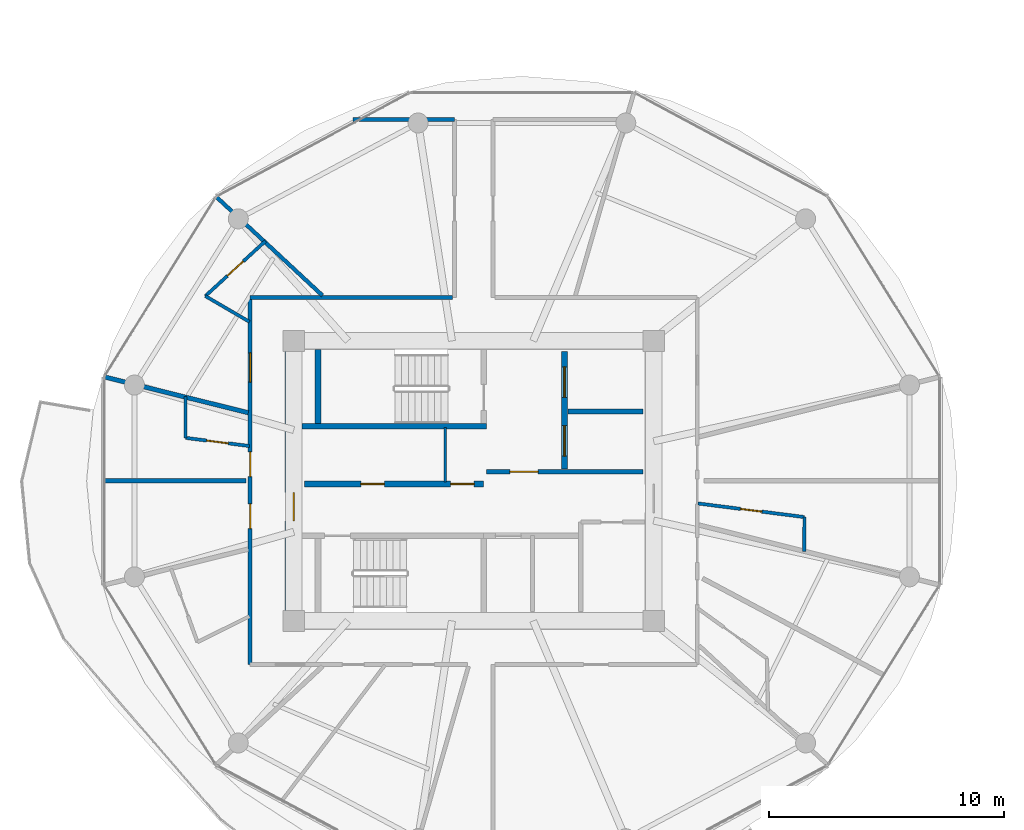
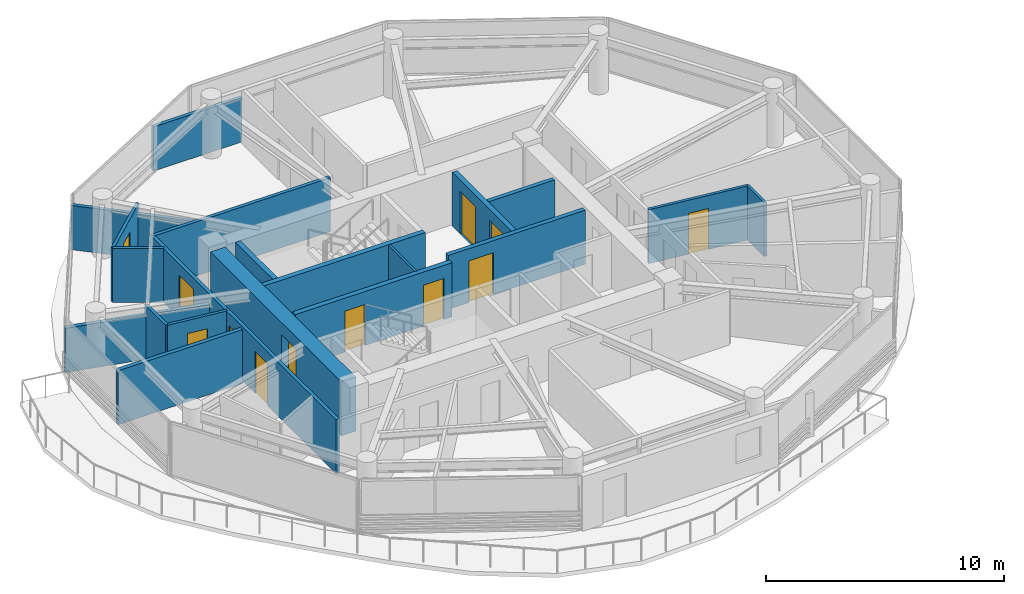
# One storey, part 14 of 24: 20 walls, 12 doors, 12 openings.
"""IFC4 building model written with IfcOpenShell, lengths in metres."""

from ifc_helpers import new_model, si_unit, direction, frame, frame_2d, origin, place, context, subcontext, project, spatial, rectangle, extrude, source, transform, mapped, material, layer, layer_set, type_object, type_shapes, element, fill, save


model = new_model("IFC4")

# Units and contexts
model_context = context("Model", 3, precision=1e-05, world=origin(), true_north=direction((0.0, 1.0)))
body_context = subcontext(model_context, "Body", "Model", "MODEL_VIEW")
ifc_project = project(units=[si_unit("LENGTHUNIT", "METRE"), si_unit("AREAUNIT", "SQUARE_METRE"), si_unit("VOLUMEUNIT", "CUBIC_METRE"), si_unit("PLANEANGLEUNIT", "RADIAN"), si_unit("MASSUNIT", "GRAM", prefix="KILO")], contexts=[model_context])

# Site, building, storey
site_placement = place(None, origin())
site = spatial("IfcSite", under=ifc_project, at=site_placement, CompositionType="ELEMENT")
building_placement = place(site_placement, origin())
building = spatial("IfcBuilding", under=site, at=building_placement, Name="Norrkilde Senior Care Towers", CompositionType="ELEMENT")
storey_placement = place(building_placement, frame((0.0, 0.0, 102.35009765625)))
storey = spatial("IfcBuildingStorey", under=building, at=storey_placement, Name="L31", CompositionType="ELEMENT", Elevation=102.35009765625)

# Wall, opening, door
ifc_material_1 = material(Name="Concrete C60/75", Category="concrete")
ifc_layer_1 = layer(ifc_material_1, 0.719970703125)
ifc_layer_set_1 = layer_set([ifc_layer_1], Name="Concrete C60/75")
wall_type_1 = type_object("IfcWallType", Name="Core Shear Wall Z2 720", PredefinedType="SHEAR", material=ifc_layer_set_1)
shared_shape_1 = source(origin(), body_context, "Body", "SweptSolid", [
    extrude(rectangle(XDim=11.0, YDim=0.719970703125, at=frame_2d((5.5, 0.0))), origin(), (0.0, 0.0, 1.0), 2.789794921875),
])
type_shapes(wall_type_1, [shared_shape_1])
wall_1_placement = place(storey_placement, frame((-35.64990234375, -5.5, 0.0), z_axis=(0.0, 0.0, 1.0), x_axis=(0.0, 1.0, 0.0)))
wall_1 = element("IfcWall", 1, at=wall_1_placement, inside=storey, type_object=wall_type_1, Name="L31 Core W West Shear Wall", PredefinedType="SHEAR", context=body_context, shape_type="MappedRepresentation", body=[
    mapped(shared_shape_1, transform((0.0, 0.0, 0.0), x_axis=(1.0, 0.0, 0.0), y_axis=(0.0, 1.0, 0.0), z_axis=(0.0, 0.0, 1.0), scale=1.0)),
])
opening_1_placement = place(wall_1_placement, frame((3.800048828125, 0.0, 0.0)))
opening_1 = element("IfcOpeningElement", 2, at=opening_1_placement, cuts=wall_1, Name="Opening D-04", PredefinedType="OPENING", context=body_context, shape_type="SweptSolid", body=[
    extrude(rectangle(XDim=1.199951171875, YDim=2.14990234375, at=frame_2d((0.60009765625, 1.074951171875))), frame((0.0, 0.369873046875, 0.0), z_axis=(0.0, -1.0, 0.0), x_axis=(1.0, 0.0, 0.0)), (0.0, 0.0, 1.0), 0.739990234375),
])
ifc_material_2 = material(Name="Galvanised Painted Steel", Category="steel")
door_type_1 = type_object("IfcDoorType", Name="Firefighting Lobby Fire Door 1200x2150", OperationType="NOTDEFINED", PredefinedType="DOOR", material=ifc_material_2)
shared_shape_2 = source(origin(), body_context, "Body", "SweptSolid", [
    extrude(rectangle(XDim=1.199951171875, YDim=2.14990234375, at=frame_2d((0.60009765625, 1.074951171875))), frame((0.0, 0.02490234375, 0.0), z_axis=(0.0, -1.0, 0.0), x_axis=(1.0, 0.0, 0.0)), (0.0, 0.0, 1.0), 0.050048828125),
])
type_shapes(door_type_1, [shared_shape_2])
door_1_placement = place(opening_1_placement, frame((1.199951171875, 0.0, 0.0), z_axis=(0.0, 0.0, 1.0), x_axis=(-1.0, 0.0, 0.0)))
door_1 = element("IfcDoor", 3, at=door_1_placement, inside=storey, type_object=door_type_1, Name="L31 Core W West Portal Door", OperationType="SINGLE_SWING_LEFT", OverallHeight=2.14990234375, OverallWidth=1.199951171875, PredefinedType="DOOR", context=body_context, shape_type="MappedRepresentation", body=[
    mapped(shared_shape_2, transform((0.0, 0.0, 0.0), x_axis=(1.0, 0.0, 0.0), y_axis=(0.0, 1.0, 0.0), z_axis=(0.0, 0.0, 1.0), scale=1.0)),
])
fill(opening_1, door_1)

# Wall, openings, doors
ifc_material_3 = material(Name="Concrete C45/55", Category="concrete")
ifc_layer_2 = layer(ifc_material_3, 0.239990234375)
ifc_layer_set_2 = layer_set([ifc_layer_2], Name="Concrete C45/55")
wall_type_2 = type_object("IfcWallType", Name="Lift and Plant Rated Enclosure Partition 240", PredefinedType="PARTITIONING", material=ifc_layer_set_2)
shared_shape_3 = source(origin(), body_context, "Body", "SweptSolid", [
    extrude(rectangle(XDim=5.0, YDim=0.239990234375, at=frame_2d((2.5, 0.0))), origin(), (0.0, 0.0, 1.0), 2.77490234375),
])
wall_2_placement = place(storey_placement, frame((-24.139892578125, 0.5, 0.0), z_axis=(0.0, 0.0, 1.0), x_axis=(0.0, 1.0, 0.0)))
wall_2 = element("IfcWall", 4, at=wall_2_placement, inside=storey, type_object=wall_type_2, Name="WL-INT-L31-W-FFLE", PredefinedType="PARTITIONING", context=body_context, shape_type="MappedRepresentation", body=[
    mapped(shared_shape_3, transform((0.0, 0.0, 0.0), x_axis=(1.0, 0.0, 0.0), y_axis=(0.0, 1.0, 0.0), z_axis=(0.0, 0.0, 1.0), scale=1.0)),
])
opening_2_placement = place(wall_2_placement, frame((3.050048828125, 0.0, 0.0)))
opening_2 = element("IfcOpeningElement", 5, at=opening_2_placement, cuts=wall_2, Name="Opening LD-02", PredefinedType="OPENING", context=body_context, shape_type="SweptSolid", body=[
    extrude(rectangle(XDim=1.300048828125, YDim=2.199951171875, at=frame_2d((0.64990234375, 1.10009765625))), frame((0.0, 0.1298828125, 0.0), z_axis=(0.0, -1.0, 0.0), x_axis=(1.0, 0.0, 0.0)), (0.0, 0.0, 1.0), 0.260009765625),
])
opening_3_placement = place(wall_2_placement, frame((0.550048828125, 0.0, 0.0)))
opening_3 = element("IfcOpeningElement", 6, at=opening_3_placement, cuts=wall_2, Name="Opening LD-02", PredefinedType="OPENING", context=body_context, shape_type="SweptSolid", body=[
    extrude(rectangle(XDim=1.300048828125, YDim=2.199951171875, at=frame_2d((0.64990234375, 1.10009765625))), frame((0.0, 0.1298828125, 0.0), z_axis=(0.0, -1.0, 0.0), x_axis=(1.0, 0.0, 0.0)), (0.0, 0.0, 1.0), 0.260009765625),
])
ifc_material_4 = material(Name="Stainless Steel", Category="steel")
door_type_2 = type_object("IfcDoorType", Name="Stretcher and FFL Landing Sliding Door 1300x2200", OperationType="NOTDEFINED", PredefinedType="DOOR", material=ifc_material_4)
shared_shape_4 = source(origin(), body_context, "Body", "SweptSolid", [
    extrude(rectangle(XDim=1.300048828125, YDim=2.199951171875, at=frame_2d((0.64990234375, 1.10009765625))), frame((0.0, 0.02490234375, 0.0), z_axis=(0.0, -1.0, 0.0), x_axis=(1.0, 0.0, 0.0)), (0.0, 0.0, 1.0), 0.050048828125),
])
type_shapes(door_type_2, [shared_shape_4])
door_2_placement = place(opening_2_placement, origin())
door_2 = element("IfcDoor", 7, at=door_2_placement, inside=storey, type_object=door_type_2, Name="L31 Firefighting Lift W1 Landing Door", OperationType="SLIDING_TO_LEFT", OverallHeight=2.199951171875, OverallWidth=1.300048828125, PredefinedType="DOOR", context=body_context, shape_type="MappedRepresentation", body=[
    mapped(shared_shape_4, transform((0.0, 0.0, 0.0), x_axis=(1.0, 0.0, 0.0), y_axis=(0.0, 1.0, 0.0), z_axis=(0.0, 0.0, 1.0), scale=1.0)),
])
fill(opening_2, door_2)
door_3_placement = place(opening_3_placement, origin())
door_3 = element("IfcDoor", 8, at=door_3_placement, inside=storey, type_object=door_type_2, Name="L31 Stretcher Lift W1 Landing Door", OperationType="SLIDING_TO_RIGHT", OverallHeight=2.199951171875, OverallWidth=1.300048828125, PredefinedType="DOOR", context=body_context, shape_type="MappedRepresentation", body=[
    mapped(shared_shape_4, transform((0.0, 0.0, 0.0), x_axis=(1.0, 0.0, 0.0), y_axis=(0.0, 1.0, 0.0), z_axis=(0.0, 0.0, 1.0), scale=1.0)),
])
fill(opening_3, door_3)

# Wall
ifc_layer_3 = layer(ifc_material_3, 0.199951171875)
ifc_layer_set_3 = layer_set([ifc_layer_3], Name="Concrete C45/55")
wall_type_3 = type_object("IfcWallType", Name="Shaft Division and Plant Partition 200", PredefinedType="PARTITIONING", material=ifc_layer_set_3)
shared_shape_5 = source(origin(), body_context, "Body", "SweptSolid", [
    extrude(rectangle(XDim=3.199951171875, YDim=0.199951171875, at=frame_2d((1.60009765625, 0.0))), origin(), (0.0, 0.0, 1.0), 2.77490234375),
])
type_shapes(wall_type_3, [shared_shape_5])
wall_3_placement = place(storey_placement, frame((-24.0, 2.949951171875, 0.0), z_axis=(0.0, 0.0, 1.0), x_axis=(1.0, 0.0, 0.0)))
element("IfcWall", 9, at=wall_3_placement, inside=storey, type_object=wall_type_3, Name="WL-INT-L31-W-FFLDIV", PredefinedType="PARTITIONING", context=body_context, shape_type="MappedRepresentation", body=[
    mapped(shared_shape_5, transform((0.0, 0.0, 0.0), x_axis=(1.0, 0.0, 0.0), y_axis=(0.0, 1.0, 0.0), z_axis=(0.0, 0.0, 1.0), scale=1.0)),
])

# Wall, opening, door
ifc_layer_4 = layer(ifc_material_3, 0.2099609375)
ifc_layer_set_4 = layer_set([ifc_layer_4], Name="Concrete C45/55")
wall_type_4 = type_object("IfcWallType", Name="Firefighting Lobby Wall 210", PredefinedType="PARTITIONING", material=ifc_layer_set_4)
shared_shape_6 = source(origin(), body_context, "Body", "SweptSolid", [
    extrude(rectangle(XDim=6.659912109375, YDim=0.2099609375, at=frame_2d((3.330078125, 0.0))), origin(), (0.0, 0.0, 1.0), 2.77490234375),
])
type_shapes(wall_type_4, [shared_shape_6])
wall_4_placement = place(storey_placement, frame((-27.4599609375, 0.389892578125, 0.0), z_axis=(0.0, 0.0, 1.0), x_axis=(1.0, 0.0, 0.0)))
wall_4 = element("IfcWall", 10, at=wall_4_placement, inside=storey, type_object=wall_type_4, Name="WL-INT-L31-W-FFLS", PredefinedType="PARTITIONING", context=body_context, shape_type="MappedRepresentation", body=[
    mapped(shared_shape_6, transform((0.0, 0.0, 0.0), x_axis=(1.0, 0.0, 0.0), y_axis=(0.0, 1.0, 0.0), z_axis=(0.0, 0.0, 1.0), scale=1.0)),
])
opening_4_placement = place(wall_4_placement, frame((1.0, 0.0, 0.0)))
opening_4 = element("IfcOpeningElement", 11, at=opening_4_placement, cuts=wall_4, Name="Opening D-04", PredefinedType="OPENING", context=body_context, shape_type="SweptSolid", body=[
    extrude(rectangle(XDim=1.199951171875, YDim=2.14990234375, at=frame_2d((0.60009765625, 1.074951171875))), frame((0.0, 0.114990234375, 0.0), z_axis=(0.0, -1.0, 0.0), x_axis=(1.0, 0.0, 0.0)), (0.0, 0.0, 1.0), 0.22998046875),
])
door_4_placement = place(opening_4_placement, frame((1.199951171875, 0.0, 0.0), z_axis=(0.0, 0.0, 1.0), x_axis=(-1.0, 0.0, 0.0)))
door_4 = element("IfcDoor", 12, at=door_4_placement, inside=storey, type_object=door_type_1, Name="L31 Firefighting Lobby W Door", OperationType="SINGLE_SWING_LEFT", OverallHeight=2.14990234375, OverallWidth=1.199951171875, PredefinedType="DOOR", context=body_context, shape_type="MappedRepresentation", body=[
    mapped(shared_shape_2, transform((0.0, 0.0, 0.0), x_axis=(1.0, 0.0, 0.0), y_axis=(0.0, 1.0, 0.0), z_axis=(0.0, 0.0, 1.0), scale=1.0)),
])
fill(opening_4, door_4)

# Wall, openings, doors
shared_shape_7 = source(origin(), body_context, "Body", "SweptSolid", [
    extrude(rectangle(XDim=7.619873046875, YDim=0.239990234375, at=frame_2d((3.81005859375, 0.0))), origin(), (0.0, 0.0, 1.0), 2.77490234375),
])
type_shapes(wall_type_2, [shared_shape_3, shared_shape_7])
wall_5_placement = place(storey_placement, frame((-35.199951171875, -0.1298828125, 0.0), z_axis=(0.0, 0.0, 1.0), x_axis=(1.0, 0.0, 0.0)))
wall_5 = element("IfcWall", 13, at=wall_5_placement, inside=storey, type_object=wall_type_2, Name="WL-INT-L31-W-PKAS", PredefinedType="PARTITIONING", context=body_context, shape_type="MappedRepresentation", body=[
    mapped(shared_shape_7, transform((0.0, 0.0, 0.0), x_axis=(1.0, 0.0, 0.0), y_axis=(0.0, 1.0, 0.0), z_axis=(0.0, 0.0, 1.0), scale=1.0)),
])
opening_5_placement = place(wall_5_placement, frame((6.219970703125, 0.0, 0.0)))
opening_5 = element("IfcOpeningElement", 14, at=opening_5_placement, cuts=wall_5, Name="Opening D-10", PredefinedType="OPENING", context=body_context, shape_type="SweptSolid", body=[
    extrude(rectangle(XDim=1.0, YDim=2.10009765625, at=frame_2d((0.5, 1.050048828125))), frame((0.0, 0.1298828125, 0.0), z_axis=(0.0, -1.0, 0.0), x_axis=(1.0, 0.0, 0.0)), (0.0, 0.0, 1.0), 0.260009765625),
])
opening_6_placement = place(wall_5_placement, frame((2.39990234375, 0.0, 0.0)))
opening_6 = element("IfcOpeningElement", 15, at=opening_6_placement, cuts=wall_5, Name="Opening D-10", PredefinedType="OPENING", context=body_context, shape_type="SweptSolid", body=[
    extrude(rectangle(XDim=1.0, YDim=2.10009765625, at=frame_2d((0.5, 1.050048828125))), frame((0.0, 0.1298828125, 0.0), z_axis=(0.0, -1.0, 0.0), x_axis=(1.0, 0.0, 0.0)), (0.0, 0.0, 1.0), 0.260009765625),
])
door_type_3 = type_object("IfcDoorType", Name="Plant and Riser Rated Door 1000x2100", OperationType="NOTDEFINED", PredefinedType="DOOR", material=ifc_material_2)
shared_shape_8 = source(origin(), body_context, "Body", "SweptSolid", [
    extrude(rectangle(XDim=1.0, YDim=2.10009765625, at=frame_2d((0.5, 1.050048828125))), frame((0.0, 0.02490234375, 0.0), z_axis=(0.0, -1.0, 0.0), x_axis=(1.0, 0.0, 0.0)), (0.0, 0.0, 1.0), 0.050048828125),
])
type_shapes(door_type_3, [shared_shape_8])
door_5_placement = place(opening_5_placement, frame((1.0, 0.0, 0.0), z_axis=(0.0, 0.0, 1.0), x_axis=(-1.0, 0.0, 0.0)))
door_5 = element("IfcDoor", 16, at=door_5_placement, inside=storey, type_object=door_type_3, Name="L31 Electrical Riser W Door", OperationType="SINGLE_SWING_LEFT", OverallHeight=2.10009765625, OverallWidth=1.0, PredefinedType="DOOR", context=body_context, shape_type="MappedRepresentation", body=[
    mapped(shared_shape_8, transform((0.0, 0.0, 0.0), x_axis=(1.0, 0.0, 0.0), y_axis=(0.0, 1.0, 0.0), z_axis=(0.0, 0.0, 1.0), scale=1.0)),
])
fill(opening_5, door_5)
door_6_placement = place(opening_6_placement, frame((1.0, 0.0, 0.0), z_axis=(0.0, 0.0, 1.0), x_axis=(-1.0, 0.0, 0.0)))
door_6 = element("IfcDoor", 17, at=door_6_placement, inside=storey, type_object=door_type_3, Name="L31 Clean Supply Store W Door", OperationType="SINGLE_SWING_LEFT", OverallHeight=2.10009765625, OverallWidth=1.0, PredefinedType="DOOR", context=body_context, shape_type="MappedRepresentation", body=[
    mapped(shared_shape_8, transform((0.0, 0.0, 0.0), x_axis=(1.0, 0.0, 0.0), y_axis=(0.0, 1.0, 0.0), z_axis=(0.0, 0.0, 1.0), scale=1.0)),
])
fill(opening_6, door_6)

# Wall
ifc_material_5 = material(Name="Gypsum Acoustic Board")
ifc_layer_5 = layer(ifc_material_5, 0.114990234375)
ifc_layer_set_5 = layer_set([ifc_layer_5], Name="Gypsum Acoustic Board")
wall_type_5 = type_object("IfcWallType", Name="Internal Room Partition 115", PredefinedType="PARTITIONING", material=ifc_layer_set_5)
shared_shape_9 = source(origin(), body_context, "Body", "SweptSolid", [
    extrude(rectangle(XDim=2.330078125, YDim=0.114990234375, at=frame_2d((1.1650390625, 0.0))), origin(), (0.0, 0.0, 1.0), 2.77490234375),
])
type_shapes(wall_type_5, [shared_shape_9])
wall_6_placement = place(storey_placement, frame((-29.2099609375, -0.050048828125, 0.0), z_axis=(0.0, 0.0, 1.0), x_axis=(0.0, 1.0, 0.0)))
element("IfcWall", 18, at=wall_6_placement, inside=storey, type_object=wall_type_5, Name="WL-INT-L31-W-RISW", PredefinedType="PARTITIONING", context=body_context, shape_type="MappedRepresentation", body=[
    mapped(shared_shape_9, transform((0.0, 0.0, 0.0), x_axis=(1.0, 0.0, 0.0), y_axis=(0.0, 1.0, 0.0), z_axis=(0.0, 0.0, 1.0), scale=1.0)),
])

# Wall, openings, doors
ifc_layer_6 = layer(ifc_material_5, 0.1650390625)
ifc_layer_set_6 = layer_set([ifc_layer_6], Name="Gypsum Acoustic Board")
wall_type_6 = type_object("IfcWallType", Name="Corridor Rated Partition 165", PredefinedType="PARTITIONING", material=ifc_layer_set_6)
shared_shape_10 = source(origin(), body_context, "Body", "SweptSolid", [
    extrude(rectangle(XDim=15.60009765625, YDim=0.1650390625, at=frame_2d((7.800048828125, 0.0))), origin(), (0.0, 0.0, 1.0), 2.77490234375),
])
wall_7_placement = place(storey_placement, frame((-37.5, -7.800048828125, 0.0), z_axis=(0.0, 0.0, 1.0), x_axis=(0.0, 1.0, 0.0)))
wall_7 = element("IfcWall", 19, at=wall_7_placement, inside=storey, type_object=wall_type_6, Name="WL-INT-L31-W-CRW-W-0", PredefinedType="PARTITIONING", context=body_context, shape_type="MappedRepresentation", body=[
    mapped(shared_shape_10, transform((0.0, 0.0, 0.0), x_axis=(1.0, 0.0, 0.0), y_axis=(0.0, 1.0, 0.0), z_axis=(0.0, 0.0, 1.0), scale=1.0)),
])
opening_7_placement = place(wall_7_placement, frame((11.994140625, 0.0, 0.0)))
opening_7 = element("IfcOpeningElement", 20, at=opening_7_placement, cuts=wall_7, Name="Opening D-05", PredefinedType="OPENING", context=body_context, shape_type="SweptSolid", body=[
    extrude(rectangle(XDim=1.25, YDim=2.199951171875, at=frame_2d((0.625, 1.10009765625))), frame((0.0, 0.092529296875, 0.0), z_axis=(0.0, -1.0, 0.0), x_axis=(1.0, 0.0, 0.0)), (0.0, 0.0, 1.0), 0.18505859375),
])
opening_8_placement = place(wall_7_placement, frame((7.984375, 0.0, 0.0)))
opening_8 = element("IfcOpeningElement", 21, at=opening_8_placement, cuts=wall_7, Name="Opening D-06", PredefinedType="OPENING", context=body_context, shape_type="SweptSolid", body=[
    extrude(rectangle(XDim=1.050048828125, YDim=2.14990234375, at=frame_2d((0.52490234375, 1.074951171875))), frame((0.0, 0.092529296875, 0.0), z_axis=(0.0, -1.0, 0.0), x_axis=(1.0, 0.0, 0.0)), (0.0, 0.0, 1.0), 0.18505859375),
])
opening_9_placement = place(wall_7_placement, frame((5.776611328125, 0.0, 0.0)))
opening_9 = element("IfcOpeningElement", 22, at=opening_9_placement, cuts=wall_7, Name="Opening D-06", PredefinedType="OPENING", context=body_context, shape_type="SweptSolid", body=[
    extrude(rectangle(XDim=1.050048828125, YDim=2.14990234375, at=frame_2d((0.52490234375, 1.074951171875))), frame((0.0, 0.092529296875, 0.0), z_axis=(0.0, -1.0, 0.0), x_axis=(1.0, 0.0, 0.0)), (0.0, 0.0, 1.0), 0.18505859375),
])
ifc_material_6 = material(Name="Nordic Ash Timber", Category="wood")
door_type_4 = type_object("IfcDoorType", Name="Care Bedroom Bariatric Door 1250x2200", OperationType="NOTDEFINED", PredefinedType="DOOR", material=ifc_material_6)
shared_shape_11 = source(origin(), body_context, "Body", "SweptSolid", [
    extrude(rectangle(XDim=1.25, YDim=2.199951171875, at=frame_2d((0.625, 1.10009765625))), frame((0.0, 0.02490234375, 0.0), z_axis=(0.0, -1.0, 0.0), x_axis=(1.0, 0.0, 0.0)), (0.0, 0.0, 1.0), 0.050048828125),
])
type_shapes(door_type_4, [shared_shape_11])
door_7_placement = place(opening_7_placement, frame((1.25, 0.0, 0.0), z_axis=(0.0, 0.0, 1.0), x_axis=(-1.0, 0.0, 0.0)))
door_7 = element("IfcDoor", 23, at=door_7_placement, inside=storey, type_object=door_type_4, Name="L31 Care Suite 3104 Entrance Door", OperationType="SINGLE_SWING_LEFT", OverallHeight=2.199951171875, OverallWidth=1.25, PredefinedType="DOOR", context=body_context, shape_type="MappedRepresentation", body=[
    mapped(shared_shape_11, transform((0.0, 0.0, 0.0), x_axis=(1.0, 0.0, 0.0), y_axis=(0.0, 1.0, 0.0), z_axis=(0.0, 0.0, 1.0), scale=1.0)),
])
fill(opening_7, door_7)
door_type_5 = type_object("IfcDoorType", Name="Apartment Entrance Fire Door 1050x2150", OperationType="NOTDEFINED", PredefinedType="DOOR", material=ifc_material_6)
shared_shape_12 = source(origin(), body_context, "Body", "SweptSolid", [
    extrude(rectangle(XDim=1.050048828125, YDim=2.14990234375, at=frame_2d((0.52490234375, 1.074951171875))), frame((0.0, 0.02490234375, 0.0), z_axis=(0.0, -1.0, 0.0), x_axis=(1.0, 0.0, 0.0)), (0.0, 0.0, 1.0), 0.050048828125),
])
type_shapes(door_type_5, [shared_shape_12])
door_8_placement = place(opening_8_placement, frame((1.050048828125, 0.0, 0.0), z_axis=(0.0, 0.0, 1.0), x_axis=(-1.0, 0.0, 0.0)))
door_8 = element("IfcDoor", 24, at=door_8_placement, inside=storey, type_object=door_type_5, Name="L31 Care Suite 3105A Entrance Door", OperationType="SINGLE_SWING_RIGHT", OverallHeight=2.14990234375, OverallWidth=1.050048828125, PredefinedType="DOOR", context=body_context, shape_type="MappedRepresentation", body=[
    mapped(shared_shape_12, transform((0.0, 0.0, 0.0), x_axis=(1.0, 0.0, 0.0), y_axis=(0.0, 1.0, 0.0), z_axis=(0.0, 0.0, 1.0), scale=1.0)),
])
fill(opening_8, door_8)
door_9_placement = place(opening_9_placement, frame((1.050048828125, 0.0, 0.0), z_axis=(0.0, 0.0, 1.0), x_axis=(-1.0, 0.0, 0.0)))
door_9 = element("IfcDoor", 25, at=door_9_placement, inside=storey, type_object=door_type_5, Name="L31 Therapy Day Lounge 05 Door", OperationType="SINGLE_SWING_LEFT", OverallHeight=2.14990234375, OverallWidth=1.050048828125, PredefinedType="DOOR", context=body_context, shape_type="MappedRepresentation", body=[
    mapped(shared_shape_12, transform((0.0, 0.0, 0.0), x_axis=(1.0, 0.0, 0.0), y_axis=(0.0, 1.0, 0.0), z_axis=(0.0, 0.0, 1.0), scale=1.0)),
])
fill(opening_9, door_9)

# Walls
shared_shape_13 = source(origin(), body_context, "Body", "SweptSolid", [
    extrude(rectangle(XDim=8.60009765625, YDim=0.1650390625, at=frame_2d((4.300048828125, 0.0))), origin(), (0.0, 0.0, 1.0), 2.77490234375),
])
wall_8_placement = place(storey_placement, frame((-37.5, 7.800048828125, 0.0), z_axis=(0.0, 0.0, 1.0), x_axis=(1.0, 0.0, 0.0)))
element("IfcWall", 26, at=wall_8_placement, inside=storey, type_object=wall_type_6, Name="WL-INT-L31-W-CRW-N-0", PredefinedType="PARTITIONING", context=body_context, shape_type="MappedRepresentation", body=[
    mapped(shared_shape_13, transform((0.0, 0.0, 0.0), x_axis=(1.0, 0.0, 0.0), y_axis=(0.0, 1.0, 0.0), z_axis=(0.0, 0.0, 1.0), scale=1.0)),
])
shared_shape_14 = source(origin(), body_context, "Body", "SweptSolid", [
    extrude(rectangle(XDim=6.186767578125, YDim=0.1650390625, at=frame_2d((3.09326171875, 0.0))), origin(), (0.0, 0.0, 1.0), 2.27490234375),
])
wall_9_placement = place(storey_placement, frame((-34.428955078125, 7.8798828125, 0.0), z_axis=(0.0, 0.0, 1.0), x_axis=(-0.732501077882, 0.680765870841, 0.0)))
element("IfcWall", 27, at=wall_9_placement, inside=storey, type_object=wall_type_6, Name="WL-INT-L31-W-DEM-04-0", PredefinedType="PARTITIONING", context=body_context, shape_type="MappedRepresentation", body=[
    mapped(shared_shape_14, transform((0.0, 0.0, 0.0), x_axis=(1.0, 0.0, 0.0), y_axis=(0.0, 1.0, 0.0), z_axis=(0.0, 0.0, 1.0), scale=1.0)),
])
shared_shape_15 = source(origin(), body_context, "Body", "SweptSolid", [
    extrude(rectangle(XDim=4.306884765625, YDim=0.1650390625, at=frame_2d((2.1533203125, 0.0))), origin(), (0.0, 0.0, 1.0), 2.27490234375),
])
type_shapes(wall_type_6, [shared_shape_10, shared_shape_13, shared_shape_14, shared_shape_15])
wall_10_placement = place(storey_placement, frame((-33.126953125, 15.360107421875, 0.0), z_axis=(0.0, 0.0, 1.0), x_axis=(1.0, 0.0, 0.0)))
element("IfcWall", 28, at=wall_10_placement, inside=storey, type_object=wall_type_6, Name="WL-INT-L31-W-PKH-NWL-0", PredefinedType="PARTITIONING", context=body_context, shape_type="MappedRepresentation", body=[
    mapped(shared_shape_15, transform((0.0, 0.0, 0.0), x_axis=(1.0, 0.0, 0.0), y_axis=(0.0, 1.0, 0.0), z_axis=(0.0, 0.0, 1.0), scale=1.0)),
])
ifc_layer_7 = layer(ifc_material_5, 0.18994140625)
ifc_layer_set_7 = layer_set([ifc_layer_7], Name="Gypsum Acoustic Board")
wall_type_7 = type_object("IfcWallType", Name="Unit Demising Acoustic Wall 190", PredefinedType="PARTITIONING", material=ifc_layer_set_7)
shared_shape_16 = source(origin(), body_context, "Body", "SweptSolid", [
    extrude(rectangle(XDim=6.33056640625, YDim=0.18994140625, at=frame_2d((3.165283203125, 0.0))), origin(), (0.0, 0.0, 1.0), 2.27490234375),
])
wall_11_placement = place(storey_placement, frame((-37.580078125, 2.89599609375, 0.0), z_axis=(0.0, 0.0, 1.0), x_axis=(-0.97036440661, 0.241646267062, 0.0)))
element("IfcWall", 29, at=wall_11_placement, inside=storey, type_object=wall_type_7, Name="WL-INT-L31-W-DEM-05-0", PredefinedType="PARTITIONING", context=body_context, shape_type="MappedRepresentation", body=[
    mapped(shared_shape_16, transform((0.0, 0.0, 0.0), x_axis=(1.0, 0.0, 0.0), y_axis=(0.0, 1.0, 0.0), z_axis=(0.0, 0.0, 1.0), scale=1.0)),
])

# Wall, opening, door
ifc_layer_8 = layer(ifc_material_5, 0.139892578125)
ifc_layer_set_8 = layer_set([ifc_layer_8], Name="Gypsum Acoustic Board")
wall_type_8 = type_object("IfcWallType", Name="En-suite Wet Room Wall 140", PredefinedType="PARTITIONING", material=ifc_layer_set_8)
shared_shape_17 = source(origin(), body_context, "Body", "SweptSolid", [
    extrude(rectangle(XDim=4.562255859375, YDim=0.139892578125, at=frame_2d((2.28125, 0.0))), origin(), (0.0, 0.0, 1.0), 2.77490234375),
])
wall_12_placement = place(storey_placement, frame((-18.469970703125, -0.95751953125, 0.0), z_axis=(0.0, 0.0, 1.0), x_axis=(0.991904666356, -0.126984774129, 0.0)))
wall_12 = element("IfcWall", 30, at=wall_12_placement, inside=storey, type_object=wall_type_8, Name="WL-INT-L31-W-ES-11A", PredefinedType="PARTITIONING", context=body_context, shape_type="MappedRepresentation", body=[
    mapped(shared_shape_17, transform((0.0, 0.0, 0.0), x_axis=(1.0, 0.0, 0.0), y_axis=(0.0, 1.0, 0.0), z_axis=(0.0, 0.0, 1.0), scale=1.0)),
])
opening_10_placement = place(wall_12_placement, frame((1.8212890625, 0.0, 0.0)))
opening_10 = element("IfcOpeningElement", 31, at=opening_10_placement, cuts=wall_12, Name="Opening D-08", PredefinedType="OPENING", context=body_context, shape_type="SweptSolid", body=[
    extrude(rectangle(XDim=0.919921875, YDim=2.10009765625, at=frame_2d((0.4599609375, 1.050048828125))), frame((0.0, 0.079833984375, 0.0), z_axis=(0.0, -1.0, 0.0), x_axis=(1.0, 0.0, 0.0)), (0.0, 0.0, 1.0), 0.159912109375),
])
door_type_6 = type_object("IfcDoorType", Name="Accessible Wet Room Door 920x2100", OperationType="NOTDEFINED", PredefinedType="DOOR", material=ifc_material_6)
shared_shape_18 = source(origin(), body_context, "Body", "SweptSolid", [
    extrude(rectangle(XDim=0.919921875, YDim=2.10009765625, at=frame_2d((0.4599609375, 1.050048828125))), frame((0.0, 0.02490234375, 0.0), z_axis=(0.0, -1.0, 0.0), x_axis=(1.0, 0.0, 0.0)), (0.0, 0.0, 1.0), 0.050048828125),
])
type_shapes(door_type_6, [shared_shape_18])
door_10_placement = place(opening_10_placement, origin())
door_10 = element("IfcDoor", 32, at=door_10_placement, inside=storey, type_object=door_type_6, Name="L31 Care Suite 3111A Bathroom Door", OperationType="SINGLE_SWING_LEFT", OverallHeight=2.10009765625, OverallWidth=0.919921875, PredefinedType="DOOR", context=body_context, shape_type="MappedRepresentation", body=[
    mapped(shared_shape_18, transform((0.0, 0.0, 0.0), x_axis=(1.0, 0.0, 0.0), y_axis=(0.0, 1.0, 0.0), z_axis=(0.0, 0.0, 1.0), scale=1.0)),
])
fill(opening_10, door_10)

# Walls
shared_shape_19 = source(origin(), body_context, "Body", "SweptSolid", [
    extrude(rectangle(XDim=1.4677734375, YDim=0.139892578125, at=frame_2d((0.73388671875, 0.0))), origin(), (0.0, 0.0, 1.0), 2.77490234375),
])
wall_13_placement = place(storey_placement, frame((-13.944580078125, -1.536865234375, 0.0), z_axis=(0.0, 0.0, 1.0), x_axis=(-0.00399198416, -0.999992031999, 0.0)))
element("IfcWall", 33, at=wall_13_placement, inside=storey, type_object=wall_type_8, Name="WL-INT-L31-W-EF-11A", PredefinedType="PARTITIONING", context=body_context, shape_type="MappedRepresentation", body=[
    mapped(shared_shape_19, transform((0.0, 0.0, 0.0), x_axis=(1.0, 0.0, 0.0), y_axis=(0.0, 1.0, 0.0), z_axis=(0.0, 0.0, 1.0), scale=1.0)),
])
ifc_layer_9 = layer(ifc_material_3, 0.239990234375)
ifc_layer_set_9 = layer_set([ifc_layer_9], Name="Concrete C45/55")
wall_type_9 = type_object("IfcWallType", Name="Shaft and Stair Enclosure Wall 240", PredefinedType="PARTITIONING", material=ifc_layer_set_9)
shared_shape_20 = source(origin(), body_context, "Body", "SweptSolid", [
    extrude(rectangle(XDim=7.830078125, YDim=0.239990234375, at=frame_2d((3.9150390625, 0.0))), origin(), (0.0, 0.0, 1.0), 2.789794921875),
])
wall_14_placement = place(storey_placement, frame((-35.2900390625, 2.330078125, 0.0), z_axis=(0.0, 0.0, 1.0), x_axis=(1.0, 0.0, 0.0)))
element("IfcWall", 34, at=wall_14_placement, inside=storey, type_object=wall_type_9, Name="WL-INT-L31-W-ST1S", PredefinedType="PARTITIONING", context=body_context, shape_type="MappedRepresentation", body=[
    mapped(shared_shape_20, transform((0.0, 0.0, 0.0), x_axis=(1.0, 0.0, 0.0), y_axis=(0.0, 1.0, 0.0), z_axis=(0.0, 0.0, 1.0), scale=1.0)),
])
shared_shape_21 = source(origin(), body_context, "Body", "SweptSolid", [
    extrude(rectangle(XDim=3.14013671875, YDim=0.239990234375, at=frame_2d((1.570068359375, 0.0))), origin(), (0.0, 0.0, 1.0), 2.789794921875),
])
type_shapes(wall_type_9, [shared_shape_20, shared_shape_21])
wall_15_placement = place(storey_placement, frame((-34.6201171875, 2.449951171875, 0.0), z_axis=(0.0, 0.0, 1.0), x_axis=(0.0, 1.0, 0.0)))
element("IfcWall", 35, at=wall_15_placement, inside=storey, type_object=wall_type_9, Name="WL-INT-L31-W-ST1W", PredefinedType="PARTITIONING", context=body_context, shape_type="MappedRepresentation", body=[
    mapped(shared_shape_21, transform((0.0, 0.0, 0.0), x_axis=(1.0, 0.0, 0.0), y_axis=(0.0, 1.0, 0.0), z_axis=(0.0, 0.0, 1.0), scale=1.0)),
])
shared_shape_22 = source(origin(), body_context, "Body", "SweptSolid", [
    extrude(rectangle(XDim=2.171630859375, YDim=0.139892578125, at=frame_2d((1.0859375, 0.0))), origin(), (0.0, 0.0, 1.0), 2.77490234375),
])
wall_16_placement = place(storey_placement, frame((-37.530029296875, 6.761962890625, 0.0), z_axis=(0.0, 0.0, 1.0), x_axis=(-0.863562702562, 0.504241468688, 0.0)))
element("IfcWall", 36, at=wall_16_placement, inside=storey, type_object=wall_type_8, Name="WL-INT-L31-W-ES-04", PredefinedType="PARTITIONING", context=body_context, shape_type="MappedRepresentation", body=[
    mapped(shared_shape_22, transform((0.0, 0.0, 0.0), x_axis=(1.0, 0.0, 0.0), y_axis=(0.0, 1.0, 0.0), z_axis=(0.0, 0.0, 1.0), scale=1.0)),
])

# Wall, opening, door
shared_shape_23 = source(origin(), body_context, "Body", "SweptSolid", [
    extrude(rectangle(XDim=3.456787109375, YDim=0.139892578125, at=frame_2d((1.728515625, 0.0))), origin(), (0.0, 0.0, 1.0), 2.77490234375),
])
wall_17_placement = place(storey_placement, frame((-39.4052734375, 7.85693359375, 0.0), z_axis=(0.0, 0.0, 1.0), x_axis=(0.737567375492, 0.675273549467, 0.0)))
wall_17 = element("IfcWall", 37, at=wall_17_placement, inside=storey, type_object=wall_type_8, Name="WL-INT-L31-W-EF-04", PredefinedType="PARTITIONING", context=body_context, shape_type="MappedRepresentation", body=[
    mapped(shared_shape_23, transform((0.0, 0.0, 0.0), x_axis=(1.0, 0.0, 0.0), y_axis=(0.0, 1.0, 0.0), z_axis=(0.0, 0.0, 1.0), scale=1.0)),
])
opening_11_placement = place(wall_17_placement, frame((1.268310546875, 0.0, 0.0)))
opening_11 = element("IfcOpeningElement", 38, at=opening_11_placement, cuts=wall_17, Name="Opening D-08", PredefinedType="OPENING", context=body_context, shape_type="SweptSolid", body=[
    extrude(rectangle(XDim=0.919921875, YDim=2.10009765625, at=frame_2d((0.4599609375, 1.050048828125))), frame((0.0, 0.079833984375, 0.0), z_axis=(0.0, -1.0, 0.0), x_axis=(1.0, 0.0, 0.0)), (0.0, 0.0, 1.0), 0.159912109375),
])
door_11_placement = place(opening_11_placement, origin())
door_11 = element("IfcDoor", 39, at=door_11_placement, inside=storey, type_object=door_type_6, Name="L31 Care Suite 3104 Bathroom Door", OperationType="SINGLE_SWING_RIGHT", OverallHeight=2.10009765625, OverallWidth=0.919921875, PredefinedType="DOOR", context=body_context, shape_type="MappedRepresentation", body=[
    mapped(shared_shape_18, transform((0.0, 0.0, 0.0), x_axis=(1.0, 0.0, 0.0), y_axis=(0.0, 1.0, 0.0), z_axis=(0.0, 0.0, 1.0), scale=1.0)),
])
fill(opening_11, door_11)

# Wall
shared_shape_24 = source(origin(), body_context, "Body", "SweptSolid", [
    extrude(rectangle(XDim=6.03857421875, YDim=0.18994140625, at=frame_2d((3.019287109375, 0.0))), origin(), (0.0, 0.0, 1.0), 2.77490234375),
])
type_shapes(wall_type_7, [shared_shape_16, shared_shape_24])
wall_18_placement = place(storey_placement, frame((-37.6845703125, 0.0, 0.0), z_axis=(0.0, 0.0, 1.0), x_axis=(-1.0, 0.0, 0.0)))
element("IfcWall", 40, at=wall_18_placement, inside=storey, type_object=wall_type_7, Name="WL-INT-L31-W-CMID-05", PredefinedType="PARTITIONING", context=body_context, shape_type="MappedRepresentation", body=[
    mapped(shared_shape_24, transform((0.0, 0.0, 0.0), x_axis=(1.0, 0.0, 0.0), y_axis=(0.0, 1.0, 0.0), z_axis=(0.0, 0.0, 1.0), scale=1.0)),
])

# Wall, opening, door
shared_shape_25 = source(origin(), body_context, "Body", "SweptSolid", [
    extrude(rectangle(XDim=2.74365234375, YDim=0.139892578125, at=frame_2d((1.371826171875, 0.0))), origin(), (0.0, 0.0, 1.0), 2.77490234375),
])
wall_19_placement = place(storey_placement, frame((-37.530029296875, 1.482421875, 0.0), z_axis=(0.0, 0.0, 1.0), x_axis=(-0.991916450239, 0.126892693823, 0.0)))
wall_19 = element("IfcWall", 41, at=wall_19_placement, inside=storey, type_object=wall_type_8, Name="WL-INT-L31-W-ES-05A", PredefinedType="PARTITIONING", context=body_context, shape_type="MappedRepresentation", body=[
    mapped(shared_shape_25, transform((0.0, 0.0, 0.0), x_axis=(1.0, 0.0, 0.0), y_axis=(0.0, 1.0, 0.0), z_axis=(0.0, 0.0, 1.0), scale=1.0)),
])
opening_12_placement = place(wall_19_placement, frame((0.911865234375, 0.0, 0.0)))
opening_12 = element("IfcOpeningElement", 42, at=opening_12_placement, cuts=wall_19, Name="Opening D-08", PredefinedType="OPENING", context=body_context, shape_type="SweptSolid", body=[
    extrude(rectangle(XDim=0.919921875, YDim=2.10009765625, at=frame_2d((0.4599609375, 1.050048828125))), frame((0.0, 0.079833984375, 0.0), z_axis=(0.0, -1.0, 0.0), x_axis=(1.0, 0.0, 0.0)), (0.0, 0.0, 1.0), 0.159912109375),
])
door_12_placement = place(opening_12_placement, origin())
door_12 = element("IfcDoor", 43, at=door_12_placement, inside=storey, type_object=door_type_6, Name="L31 Care Suite 3105A Bathroom Door", OperationType="SINGLE_SWING_LEFT", OverallHeight=2.10009765625, OverallWidth=0.919921875, PredefinedType="DOOR", context=body_context, shape_type="MappedRepresentation", body=[
    mapped(shared_shape_18, transform((0.0, 0.0, 0.0), x_axis=(1.0, 0.0, 0.0), y_axis=(0.0, 1.0, 0.0), z_axis=(0.0, 0.0, 1.0), scale=1.0)),
])
fill(opening_12, door_12)

# Wall
shared_shape_26 = source(origin(), body_context, "Body", "SweptSolid", [
    extrude(rectangle(XDim=1.7490234375, YDim=0.139892578125, at=frame_2d((0.87451171875, 0.0))), origin(), (0.0, 0.0, 1.0), 2.77490234375),
])
type_shapes(wall_type_8, [shared_shape_17, shared_shape_19, shared_shape_22, shared_shape_23, shared_shape_25, shared_shape_26])
wall_20_placement = place(storey_placement, frame((-40.25146484375, 1.83056640625, 0.0), z_axis=(0.0, 0.0, 1.0), x_axis=(0.003350064953, 0.999994388517, 0.0)))
element("IfcWall", 44, at=wall_20_placement, inside=storey, type_object=wall_type_8, Name="WL-INT-L31-W-EF-05A", PredefinedType="PARTITIONING", context=body_context, shape_type="MappedRepresentation", body=[
    mapped(shared_shape_26, transform((0.0, 0.0, 0.0), x_axis=(1.0, 0.0, 0.0), y_axis=(0.0, 1.0, 0.0), z_axis=(0.0, 0.0, 1.0), scale=1.0)),
])

save(model, "model.ifc")
